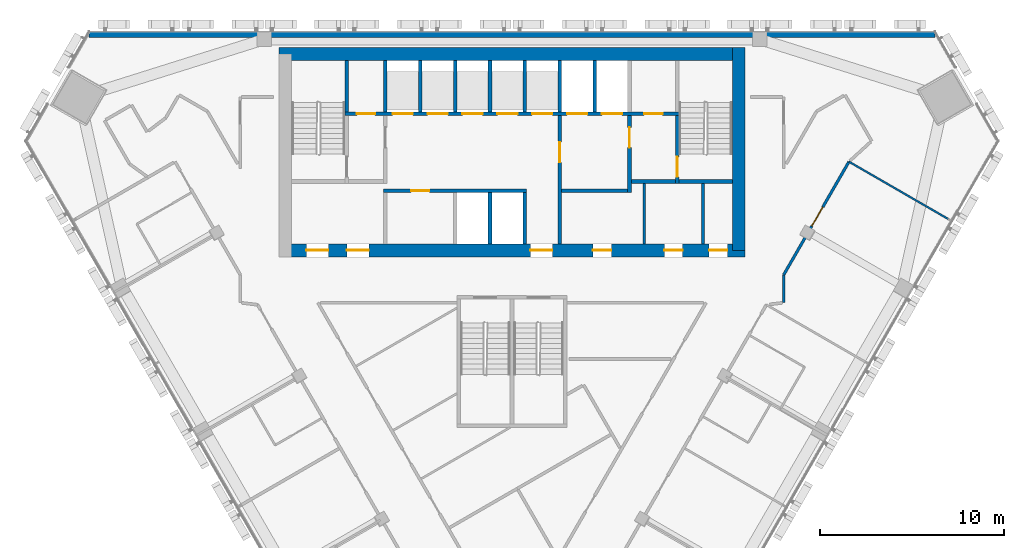
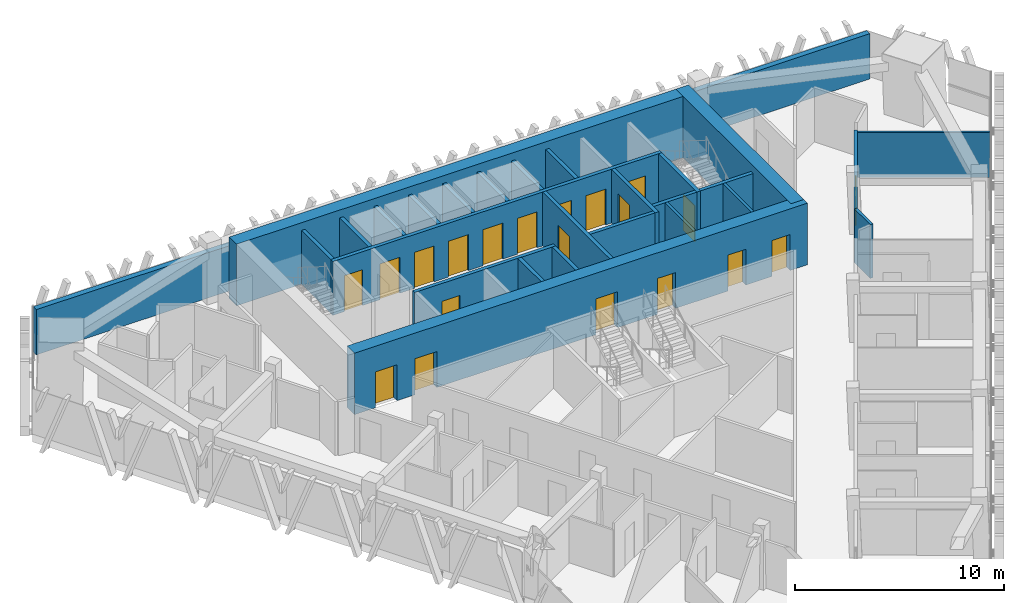
# One storey, part 11 of 15: 27 walls, 20 doors, 20 openings.
"""IFC4 building model written with IfcOpenShell, lengths in metres."""

import ifcopenshell
import ifcopenshell.guid

model = None  # the IFC model being written
_history = None  # IfcOwnerHistory: only IFC2X3 demands one
_inside = {}  # id of a spatial element -> (the spatial element, [elements in it])
_under = {}  # id of a project, library or spatial element -> (it, [spatial elements below it])
_declared = {}  # id of a project -> (the project, [libraries it declares])
_typed = {}  # id of a type object -> (the type object, [elements of that type])
_made_of = {}  # id of a material, layer set ... -> (it, [elements and type objects made of it])


def new_model(schema):
    """Start an empty IFC model of exactly this schema.

    Asked for "IFC4X3", IfcOpenShell would pick the latest addendum, in which some entities
    have other attributes; the version numbers below select the first issue.
    IFC2X3 requires an IfcOwnerHistory on every rooted entity: one is made here for all.
    """
    global model, _history
    if schema == "IFC4X3":
        model = ifcopenshell.file(schema_version=(4, 3, 0, 0))
    else:
        model = ifcopenshell.file(schema=schema)
    _inside.clear()
    _under.clear()
    _declared.clear()
    _typed.clear()
    _made_of.clear()
    _history = None
    if model.schema == "IFC2X3":
        org = make("IfcOrganization", Name="unknown")
        user = make(
            "IfcPersonAndOrganization",
            ThePerson=make("IfcPerson", FamilyName="unknown"),
            TheOrganization=org,
        )
        app = make(
            "IfcApplication",
            ApplicationDeveloper=org,
            Version="unknown",
            ApplicationFullName="unknown",
            ApplicationIdentifier="unknown",
        )
        _history = make(
            "IfcOwnerHistory",
            OwningUser=user,
            OwningApplication=app,
            ChangeAction="ADDED",
            CreationDate=0,
        )
    return model


def make(cls, **values):
    """One entity of the class cls with the attributes given. An attribute that is None is left unset."""
    return model.create_entity(
        cls, **{name: value for name, value in values.items() if value is not None}
    )


def rooted(cls, **values):
    """An entity with a GlobalId (a new one), such as an element, a storey or a relation."""
    return make(cls, GlobalId=ifcopenshell.guid.new(), OwnerHistory=_history, **values)


def si_unit(unit_type, name, prefix=None):
    """IfcSIUnit, for example si_unit("LENGTHUNIT", "METRE", prefix="MILLI")."""
    return make("IfcSIUnit", UnitType=unit_type, Prefix=prefix, Name=name)


def assignment(units):
    """IfcUnitAssignment: the units of a project."""
    return None if units is None else make("IfcUnitAssignment", Units=units)


def point(xyz):
    """IfcCartesianPoint."""
    return None if xyz is None else make("IfcCartesianPoint", Coordinates=xyz)


def direction(xyz):
    """IfcDirection."""
    return None if xyz is None else make("IfcDirection", DirectionRatios=xyz)


def frame(location, z_axis=None, x_axis=None):
    """IfcAxis2Placement3D, a coordinate frame: its origin and axes. An axis left out is left unset."""
    return make(
        "IfcAxis2Placement3D",
        Location=point(location),
        Axis=direction(z_axis),
        RefDirection=direction(x_axis),
    )


def frame_2d(location, x_axis=None):
    """IfcAxis2Placement2D, a coordinate frame in the plane: its origin and x axis."""
    return make(
        "IfcAxis2Placement2D", Location=point(location), RefDirection=direction(x_axis)
    )


def origin():
    """The frame at (0, 0, 0) with its axes left unset."""
    return frame((0.0, 0.0, 0.0))


def place(relative_to, where):
    """IfcLocalPlacement: puts the frame where relative to a parent placement (None: the world)."""
    return make(
        "IfcLocalPlacement", PlacementRelTo=relative_to, RelativePlacement=where
    )


def context(
    kind, dimensions, precision=None, world=None, true_north=None, identifier=None
):
    """IfcGeometricRepresentationContext, for example the 3D "Model" context."""
    return make(
        "IfcGeometricRepresentationContext",
        ContextIdentifier=identifier,
        ContextType=kind,
        CoordinateSpaceDimension=dimensions,
        Precision=precision,
        WorldCoordinateSystem=world,
        TrueNorth=true_north,
    )


def subcontext(parent, identifier, kind, view, scale=None):
    """IfcGeometricRepresentationSubContext, for example "Body" below "Model"."""
    return make(
        "IfcGeometricRepresentationSubContext",
        ContextIdentifier=identifier,
        ContextType=kind,
        ParentContext=parent,
        TargetScale=scale,
        TargetView=view,
    )


def project(units=None, contexts=None):
    """IfcProject with its units and contexts."""
    return rooted(
        "IfcProject",
        Name="project",
        RepresentationContexts=contexts,
        UnitsInContext=assignment(units),
    )


def spatial(cls, under=None, at=None, **own):
    """A site, building, storey or space (cls), placed at a placement, below another one or the project."""
    s = rooted(cls, ObjectPlacement=at, **own)
    if under is not None:
        _under.setdefault(under.id(), (under, []))[1].append(s)
    return s


def profile(cls, at=None, kind="AREA", **sizes):
    """A parametric profile (cls). Its sizes go by their IFC names, for example OverallWidth=200.0."""
    return make(cls, ProfileType=kind, Position=at, **sizes)


def rectangle(**sizes):
    """IfcRectangleProfileDef."""
    return profile("IfcRectangleProfileDef", **sizes)


def extrude(swept, where, along, depth):
    """IfcExtrudedAreaSolid: the profile swept, set in the frame where, extruded along a direction by depth."""
    return make(
        "IfcExtrudedAreaSolid",
        SweptArea=swept,
        Position=where,
        ExtrudedDirection=direction(along),
        Depth=depth,
    )


def shape(context_of_items, identifier, shape_type, items):
    """IfcShapeRepresentation: the items that make up one representation, for example the "Body"."""
    return make(
        "IfcShapeRepresentation",
        ContextOfItems=context_of_items,
        RepresentationIdentifier=identifier,
        RepresentationType=shape_type,
        Items=items,
    )


def material(Name=None, Category=None):
    """IfcMaterial."""
    return make("IfcMaterial", Name=Name, Category=Category)


def layer(
    of_material, thickness, ventilated=None, Name=None, Category=None, Priority=None
):
    """IfcMaterialLayer: one layer of a wall or slab, of a material (None: an air gap)."""
    return make(
        "IfcMaterialLayer",
        Material=of_material,
        LayerThickness=thickness,
        IsVentilated=ventilated,
        Name=Name,
        Category=Category,
        Priority=Priority,
    )


def layer_set(layers, Name=None):
    """IfcMaterialLayerSet."""
    return make("IfcMaterialLayerSet", MaterialLayers=layers, LayerSetName=Name)


def made_of(thing, what):
    """Note that an element or type object is made of a material, layer set ...; save() writes the relation."""
    if what is not None:
        _made_of.setdefault(what.id(), (what, []))[1].append(thing)
    return thing


def type_object(cls, material=None, **own):
    """A type object (cls), such as IfcWallType, which elements share."""
    return made_of(rooted(cls, **own), material)


def element(
    cls,
    number,
    at=None,
    inside=None,
    cuts=None,
    type_object=None,
    material=None,
    context=None,
    identifier="Body",
    shape_type=None,
    held_by="IfcProductDefinitionShape",
    body=None,
    shapes=None,
    **own,
):
    """One element of the class cls, such as IfcWall. Its Tag is "e" and its number.

    at: its placement. inside: the storey or other place that contains it. cuts: it is an
    opening in that element (IfcRelVoidsElement). A single representation is given by context,
    identifier, shape_type and body (its items); several are given by shapes. held_by: the class
    of the entity that holds the representations. save() writes the other relations.
    """
    e = rooted(cls, Tag="e%d" % number, ObjectPlacement=at, **own)
    if body is not None:
        shapes = [shape(context, identifier, shape_type, body)]
    if shapes is not None:
        e.Representation = make(held_by, Representations=shapes)
    if inside is not None:
        _inside.setdefault(inside.id(), (inside, []))[1].append(e)
    if cuts is not None:
        rooted(
            "IfcRelVoidsElement", RelatingBuildingElement=cuts, RelatedOpeningElement=e
        )
    if type_object is not None:
        _typed.setdefault(type_object.id(), (type_object, []))[1].append(e)
    return made_of(e, material)


def fill(opening, filler):
    """IfcRelFillsElement: the door or window that sits in an opening."""
    return rooted(
        "IfcRelFillsElement",
        RelatingOpeningElement=opening,
        RelatedBuildingElement=filler,
    )


def aggregate(whole, parts):
    """IfcRelAggregates: a whole, such as a stair, and the parts it consists of."""
    return rooted("IfcRelAggregates", RelatingObject=whole, RelatedObjects=parts)


def save(model, path):
    """Write the relations noted so far, then the file.

    IfcRelAggregates (storeys below a building ...), IfcRelContainedInSpatialStructure (elements
    in a storey), IfcRelDefinesByType, IfcRelAssociatesMaterial and IfcRelDeclares: one each for
    every whole, place, type object, material and project.
    """
    for whole, parts in _under.values():
        aggregate(whole, parts)
    for where, things in _inside.values():
        rooted(
            "IfcRelContainedInSpatialStructure",
            RelatedElements=things,
            RelatingStructure=where,
        )
    for kind, things in _typed.values():
        rooted("IfcRelDefinesByType", RelatedObjects=things, RelatingType=kind)
    for what, things in _made_of.values():
        rooted("IfcRelAssociatesMaterial", RelatedObjects=things, RelatingMaterial=what)
    for by, libraries in _declared.values():
        rooted("IfcRelDeclares", RelatingContext=by, RelatedDefinitions=libraries)
    model.write(path)


model = new_model("IFC4")

# Units and contexts
model_context = context("Model", 3, precision=1e-05, world=origin(), true_north=direction((0.0, 1.0)))
body_context = subcontext(model_context, "Body", "Model", "MODEL_VIEW")
ifc_project = project(units=[si_unit("LENGTHUNIT", "METRE"), si_unit("AREAUNIT", "SQUARE_METRE"), si_unit("VOLUMEUNIT", "CUBIC_METRE"), si_unit("PLANEANGLEUNIT", "RADIAN"), si_unit("MASSUNIT", "GRAM", prefix="KILO")], contexts=[model_context])

# Site, building, storey
site_placement = place(None, origin())
site = spatial("IfcSite", under=ifc_project, at=site_placement, CompositionType="ELEMENT")
building_placement = place(site_placement, origin())
building = spatial("IfcBuilding", under=site, at=building_placement, Name="Altiplano Prism Tower", CompositionType="ELEMENT")
storey_placement = place(building_placement, frame((0.0, 0.0, 171.0)))
storey = spatial("IfcBuildingStorey", under=building, at=storey_placement, Name="L44", CompositionType="ELEMENT", Elevation=171.0)

# Wall, openings, doors
ifc_material_1 = material(Name="Concrete C60/75", Category="concrete")
ifc_layer_1 = layer(ifc_material_1, 0.699951171875)
ifc_layer_set_1 = layer_set([ifc_layer_1], Name="Concrete C60/75")
wall_type_1 = type_object("IfcWallType", Name="Core wall 700", PredefinedType="SHEAR", material=ifc_layer_set_1)
wall_1_placement = place(storey_placement, frame((72.64990234375, 93.050048828125, 0.0), z_axis=(0.0, 0.0, 1.0), x_axis=(1.0, 0.0, 0.0)))
wall_1 = element("IfcWall", 1, at=wall_1_placement, inside=storey, type_object=wall_type_1, Name="Core wall S L44", PredefinedType="SHEAR", context=body_context, shape_type="SweptSolid", body=[
    extrude(rectangle(XDim=25.050048828125, YDim=0.699951171875, at=frame_2d((12.52490234375, 0.0))), origin(), (0.0, 0.0, 1.0), 3.60009765625),
])
opening_1_placement = place(wall_1_placement, frame((1.14990234375, 0.0, 0.0)))
opening_1 = element("IfcOpeningElement", 2, at=opening_1_placement, cuts=wall_1, Name="Opening D3187", PredefinedType="OPENING", context=body_context, shape_type="SweptSolid", body=[
    extrude(rectangle(XDim=1.199951171875, YDim=2.10009765625, at=frame_2d((0.60009765625, 1.050048828125))), frame((0.0, 0.3603515625, 0.0), z_axis=(0.0, -1.0, 0.0), x_axis=(1.0, 0.0, 0.0)), (0.0, 0.0, 1.0), 0.720947265625),
])
opening_2_placement = place(wall_1_placement, frame((3.35009765625, 0.0, 0.0)))
opening_2 = element("IfcOpeningElement", 3, at=opening_2_placement, cuts=wall_1, Name="Opening D3188", PredefinedType="OPENING", context=body_context, shape_type="SweptSolid", body=[
    extrude(rectangle(XDim=1.199951171875, YDim=2.10009765625, at=frame_2d((0.60009765625, 1.050048828125))), frame((0.0, 0.3603515625, 0.0), z_axis=(0.0, -1.0, 0.0), x_axis=(1.0, 0.0, 0.0)), (0.0, 0.0, 1.0), 0.720947265625),
])
opening_3_placement = place(wall_1_placement, frame((13.35009765625, 0.0, 0.0)))
opening_3 = element("IfcOpeningElement", 4, at=opening_3_placement, cuts=wall_1, Name="Opening D3189", PredefinedType="OPENING", context=body_context, shape_type="SweptSolid", body=[
    extrude(rectangle(XDim=1.199951171875, YDim=2.10009765625, at=frame_2d((0.60009765625, 1.050048828125))), frame((0.0, 0.3603515625, 0.0), z_axis=(0.0, -1.0, 0.0), x_axis=(1.0, 0.0, 0.0)), (0.0, 0.0, 1.0), 0.720947265625),
])
opening_4_placement = place(wall_1_placement, frame((16.762451171875, 0.0, 0.0)))
opening_4 = element("IfcOpeningElement", 5, at=opening_4_placement, cuts=wall_1, Name="Opening D3192", PredefinedType="OPENING", context=body_context, shape_type="SweptSolid", body=[
    extrude(rectangle(XDim=1.0, YDim=2.10009765625, at=frame_2d((0.5, 1.050048828125))), frame((0.0, 0.3603515625, 0.0), z_axis=(0.0, -1.0, 0.0), x_axis=(1.0, 0.0, 0.0)), (0.0, 0.0, 1.0), 0.720947265625),
])
opening_5_placement = place(wall_1_placement, frame((20.64990234375, 0.0, 0.0)))
opening_5 = element("IfcOpeningElement", 6, at=opening_5_placement, cuts=wall_1, Name="Opening D3193", PredefinedType="OPENING", context=body_context, shape_type="SweptSolid", body=[
    extrude(rectangle(XDim=1.0, YDim=2.10009765625, at=frame_2d((0.5, 1.050048828125))), frame((0.0, 0.3603515625, 0.0), z_axis=(0.0, -1.0, 0.0), x_axis=(1.0, 0.0, 0.0)), (0.0, 0.0, 1.0), 0.720947265625),
])
opening_6_placement = place(wall_1_placement, frame((23.08740234375, 0.0, 0.0)))
opening_6 = element("IfcOpeningElement", 7, at=opening_6_placement, cuts=wall_1, Name="Opening D3194", PredefinedType="OPENING", context=body_context, shape_type="SweptSolid", body=[
    extrude(rectangle(XDim=1.0, YDim=2.10009765625, at=frame_2d((0.5, 1.050048828125))), frame((0.0, 0.3603515625, 0.0), z_axis=(0.0, -1.0, 0.0), x_axis=(1.0, 0.0, 0.0)), (0.0, 0.0, 1.0), 0.720947265625),
])
ifc_material_2 = material(Name="Fire-rated steel door", Category="steel")
door_type_1 = type_object("IfcDoorType", Name="Core room door 1000 x 2100", OperationType="NOTDEFINED", PredefinedType="NOTDEFINED", material=ifc_material_2)
door_1_placement = place(opening_4_placement, origin())
door_1 = element("IfcDoor", 8, at=door_1_placement, inside=storey, type_object=door_type_1, Name="Core room door D3192", OperationType="SINGLE_SWING_RIGHT", OverallHeight=2.10009765625, OverallWidth=1.0, PredefinedType="NOTDEFINED", context=body_context, shape_type="SweptSolid", body=[
    extrude(rectangle(XDim=1.0, YDim=2.10009765625, at=frame_2d((0.5, 1.050048828125))), frame((0.0, 0.02490234375, 0.0), z_axis=(0.0, -1.0, 0.0), x_axis=(1.0, 0.0, 0.0)), (0.0, 0.0, 1.0), 0.050048828125),
])
fill(opening_4, door_1)
door_2_placement = place(opening_5_placement, origin())
door_2 = element("IfcDoor", 9, at=door_2_placement, inside=storey, type_object=door_type_1, Name="Core room door D3193", OperationType="SINGLE_SWING_LEFT", OverallHeight=2.10009765625, OverallWidth=1.0, PredefinedType="NOTDEFINED", context=body_context, shape_type="SweptSolid", body=[
    extrude(rectangle(XDim=1.0, YDim=2.10009765625, at=frame_2d((0.5, 1.050048828125))), frame((0.0, 0.02490234375, 0.0), z_axis=(0.0, -1.0, 0.0), x_axis=(1.0, 0.0, 0.0)), (0.0, 0.0, 1.0), 0.050048828125),
])
fill(opening_5, door_2)
door_3_placement = place(opening_6_placement, origin())
door_3 = element("IfcDoor", 10, at=door_3_placement, inside=storey, type_object=door_type_1, Name="Core room door D3194", OperationType="SINGLE_SWING_RIGHT", OverallHeight=2.10009765625, OverallWidth=1.0, PredefinedType="NOTDEFINED", context=body_context, shape_type="SweptSolid", body=[
    extrude(rectangle(XDim=1.0, YDim=2.10009765625, at=frame_2d((0.5, 1.050048828125))), frame((0.0, 0.02490234375, 0.0), z_axis=(0.0, -1.0, 0.0), x_axis=(1.0, 0.0, 0.0)), (0.0, 0.0, 1.0), 0.050048828125),
])
fill(opening_6, door_3)
door_type_2 = type_object("IfcDoorType", Name="Lobby fire door 1200 x 2100", OperationType="NOTDEFINED", PredefinedType="NOTDEFINED", material=ifc_material_2)
door_4_placement = place(opening_1_placement, origin())
door_4 = element("IfcDoor", 11, at=door_4_placement, inside=storey, type_object=door_type_2, Name="Lobby fire door D3187", OperationType="SINGLE_SWING_RIGHT", OverallHeight=2.10009765625, OverallWidth=1.199951171875, PredefinedType="NOTDEFINED", context=body_context, shape_type="SweptSolid", body=[
    extrude(rectangle(XDim=1.199951171875, YDim=2.10009765625, at=frame_2d((0.60009765625, 1.050048828125))), frame((0.0, 0.02490234375, 0.0), z_axis=(0.0, -1.0, 0.0), x_axis=(1.0, 0.0, 0.0)), (0.0, 0.0, 1.0), 0.050048828125),
])
fill(opening_1, door_4)
door_5_placement = place(opening_2_placement, origin())
door_5 = element("IfcDoor", 12, at=door_5_placement, inside=storey, type_object=door_type_2, Name="Lobby fire door D3188", OperationType="SINGLE_SWING_LEFT", OverallHeight=2.10009765625, OverallWidth=1.199951171875, PredefinedType="NOTDEFINED", context=body_context, shape_type="SweptSolid", body=[
    extrude(rectangle(XDim=1.199951171875, YDim=2.10009765625, at=frame_2d((0.60009765625, 1.050048828125))), frame((0.0, 0.02490234375, 0.0), z_axis=(0.0, -1.0, 0.0), x_axis=(1.0, 0.0, 0.0)), (0.0, 0.0, 1.0), 0.050048828125),
])
fill(opening_2, door_5)
door_6_placement = place(opening_3_placement, origin())
door_6 = element("IfcDoor", 13, at=door_6_placement, inside=storey, type_object=door_type_2, Name="Lobby fire door D3189", OperationType="SINGLE_SWING_RIGHT", OverallHeight=2.10009765625, OverallWidth=1.199951171875, PredefinedType="NOTDEFINED", context=body_context, shape_type="SweptSolid", body=[
    extrude(rectangle(XDim=1.199951171875, YDim=2.10009765625, at=frame_2d((0.60009765625, 1.050048828125))), frame((0.0, 0.02490234375, 0.0), z_axis=(0.0, -1.0, 0.0), x_axis=(1.0, 0.0, 0.0)), (0.0, 0.0, 1.0), 0.050048828125),
])
fill(opening_3, door_6)

# Walls
wall_2_placement = place(storey_placement, frame((97.35009765625, 93.050048828125, 0.0), z_axis=(0.0, 0.0, 1.0), x_axis=(0.0, 1.0, 0.0)))
element("IfcWall", 14, at=wall_2_placement, inside=storey, type_object=wall_type_1, Name="Core wall E L44", PredefinedType="SHEAR", context=body_context, shape_type="SweptSolid", body=[
    extrude(rectangle(XDim=11.050048828125, YDim=0.699951171875, at=frame_2d((5.52490234375, 0.0))), origin(), (0.0, 0.0, 1.0), 3.60009765625),
])
wall_3_placement = place(storey_placement, frame((97.35009765625, 103.75, 0.0), z_axis=(0.0, 0.0, 1.0), x_axis=(-1.0, 0.0, 0.0)))
element("IfcWall", 15, at=wall_3_placement, inside=storey, type_object=wall_type_1, Name="Core wall N L44", PredefinedType="SHEAR", context=body_context, shape_type="SweptSolid", body=[
    extrude(rectangle(XDim=25.050048828125, YDim=0.699951171875, at=frame_2d((12.52490234375, 0.0))), origin(), (0.0, 0.0, 1.0), 3.60009765625),
])
ifc_material_3 = material(Name="Plasterboard on steel stud", Category="steel")
ifc_layer_2 = layer(ifc_material_3, 0.10009765625)
ifc_layer_set_2 = layer_set([ifc_layer_2], Name="Plasterboard on steel stud")
wall_type_2 = type_object("IfcWallType", Name="Partition 100 wet", PredefinedType="PARTITIONING", material=ifc_layer_set_2)
wall_4_placement = place(storey_placement, frame((108.917724609375, 94.670166015625, 0.0), z_axis=(0.0, 0.0, 1.0), x_axis=(-0.866018406147, 0.500012120068, 0.0)))
element("IfcWall", 16, at=wall_4_placement, inside=storey, type_object=wall_type_2, Name="Partition P03 L44 072", PredefinedType="PARTITIONING", context=body_context, shape_type="SweptSolid", body=[
    extrude(rectangle(XDim=6.420166015625, YDim=0.10009765625, at=frame_2d((3.2099609375, 0.0))), origin(), (0.0, 0.0, 1.0), 2.64990234375),
])
ifc_layer_3 = layer(ifc_material_3, 0.14990234375)
ifc_layer_set_3 = layer_set([ifc_layer_3], Name="Plasterboard on steel stud")
wall_type_3 = type_object("IfcWallType", Name="Partition 150 corridor", PredefinedType="PARTITIONING", material=ifc_layer_set_3)
wall_5_placement = place(storey_placement, frame((99.800048828125, 90.199951171875, 0.0), z_axis=(0.0, 0.0, 1.0), x_axis=(0.0, 1.0, 0.0)))
element("IfcWall", 17, at=wall_5_placement, inside=storey, type_object=wall_type_3, Name="Partition P06 L44 012", PredefinedType="PARTITIONING", context=body_context, shape_type="SweptSolid", body=[
    extrude(rectangle(XDim=1.51806640625, YDim=0.14990234375, at=frame_2d((0.759033203125, 0.0))), origin(), (0.0, 0.0, 1.0), 3.14990234375),
])

# Wall, opening, door
wall_6_placement = place(storey_placement, frame((99.800048828125, 91.718017578125, 0.0), z_axis=(0.0, 0.0, 1.0), x_axis=(0.499976887781, 0.866038747219, 0.0)))
wall_6 = element("IfcWall", 18, at=wall_6_placement, inside=storey, type_object=wall_type_3, Name="Partition P06 L44 013", PredefinedType="PARTITIONING", context=body_context, shape_type="SweptSolid", body=[
    extrude(rectangle(XDim=7.115478515625, YDim=0.14990234375, at=frame_2d((3.5576171875, 0.0))), origin(), (0.0, 0.0, 1.0), 2.75),
])
opening_7_placement = place(wall_6_placement, frame((3.06103515625, 0.0, 0.0)))
opening_7 = element("IfcOpeningElement", 19, at=opening_7_placement, cuts=wall_6, Name="Opening D1570", PredefinedType="OPENING", context=body_context, shape_type="SweptSolid", body=[
    extrude(rectangle(XDim=1.199951171875, YDim=2.10009765625, at=frame_2d((0.60009765625, 1.050048828125))), frame((0.0, 0.08544921875, 0.0), z_axis=(0.0, -1.0, 0.0), x_axis=(1.0, 0.0, 0.0)), (0.0, 0.0, 1.0), 0.1708984375),
])
ifc_material_4 = material(Name="Timber", Category="wood")
door_type_3 = type_object("IfcDoorType", Name="Shared room door 1200 x 2100", OperationType="NOTDEFINED", PredefinedType="NOTDEFINED", material=ifc_material_4)
door_7_placement = place(opening_7_placement, origin())
door_7 = element("IfcDoor", 20, at=door_7_placement, inside=storey, type_object=door_type_3, Name="Door D1570", OperationType="SINGLE_SWING_LEFT", OverallHeight=2.10009765625, OverallWidth=1.199951171875, PredefinedType="NOTDEFINED", context=body_context, shape_type="SweptSolid", body=[
    extrude(rectangle(XDim=1.199951171875, YDim=2.10009765625, at=frame_2d((0.60009765625, 1.050048828125))), frame((0.0, 0.02490234375, 0.0), z_axis=(0.0, -1.0, 0.0), x_axis=(1.0, 0.0, 0.0)), (0.0, 0.0, 1.0), 0.050048828125),
])
fill(opening_7, door_7)

# Walls
ifc_material_5 = material(Name="Fire-rated gypsum board partition")
ifc_layer_4 = layer(ifc_material_5, 0.14990234375)
ifc_layer_set_4 = layer_set([ifc_layer_4], Name="Fire-rated gypsum board partition")
wall_type_4 = type_object("IfcWallType", Name="Room partition 150", PredefinedType="PARTITIONING", material=ifc_layer_set_4)
for number, where, z_axis, x_axis, name in (
    (21, (92.199951171875, 93.39990234375, 0.0), (0.0, 0.0, 1.0), (0.0, 1.0, 0.0), "Room partition L44"),
    (22, (95.39990234375, 93.39990234375, 0.0), (0.0, 0.0, 1.0), (0.0, 1.0, 0.0), "Room partition L44"),
):
    element("IfcWall", number, at=place(storey_placement, frame(where, z_axis=z_axis, x_axis=x_axis)), inside=storey, type_object=wall_type_4, Name=name, PredefinedType="PARTITIONING", context=body_context, shape_type="SweptSolid", body=[
        extrude(rectangle(XDim=3.300048828125, YDim=0.14990234375, at=frame_2d((1.64990234375, 0.0))), origin(), (0.0, 0.0, 1.0), 3.14990234375),
    ])
ifc_layer_5 = layer(ifc_material_1, 0.199951171875)
ifc_layer_set_5 = layer_set([ifc_layer_5], Name="Concrete C60/75")
wall_type_5 = type_object("IfcWallType", Name="Shaft wall 200", PredefinedType="SOLIDWALL", material=ifc_layer_set_5)
for number, where, z_axis, x_axis, name in (
    (23, (83.800048828125, 93.39990234375, 0.0), (0.0, 0.0, 1.0), (0.0, 1.0, 0.0), "Shaft wall L44"),
    (24, (85.699951171875, 93.39990234375, 0.0), (0.0, 0.0, 1.0), (0.0, 1.0, 0.0), "Shaft wall L44"),
):
    element("IfcWall", number, at=place(storey_placement, frame(where, z_axis=z_axis, x_axis=x_axis)), inside=storey, type_object=wall_type_5, Name=name, PredefinedType="SOLIDWALL", context=body_context, shape_type="SweptSolid", body=[
        extrude(rectangle(XDim=2.800048828125, YDim=0.199951171875, at=frame_2d((1.39990234375, 0.0))), origin(), (0.0, 0.0, 1.0), 3.14990234375),
    ])

# Wall, opening, door
wall_7_placement = place(storey_placement, frame((78.0, 96.300048828125, 0.0), z_axis=(0.0, 0.0, 1.0), x_axis=(1.0, 0.0, 0.0)))
wall_7 = element("IfcWall", 25, at=wall_7_placement, inside=storey, type_object=wall_type_5, Name="Shaft wall L44", PredefinedType="SOLIDWALL", context=body_context, shape_type="SweptSolid", body=[
    extrude(rectangle(XDim=7.800048828125, YDim=0.199951171875, at=frame_2d((3.89990234375, 0.0))), origin(), (0.0, 0.0, 1.0), 3.14990234375),
])
opening_8_placement = place(wall_7_placement, frame((1.5, 0.0, 0.0)))
opening_8 = element("IfcOpeningElement", 26, at=opening_8_placement, cuts=wall_7, Name="Opening D3195", PredefinedType="OPENING", context=body_context, shape_type="SweptSolid", body=[
    extrude(rectangle(XDim=1.0, YDim=2.10009765625, at=frame_2d((0.5, 1.050048828125))), frame((0.0, 0.1103515625, 0.0), z_axis=(0.0, -1.0, 0.0), x_axis=(1.0, 0.0, 0.0)), (0.0, 0.0, 1.0), 0.220947265625),
])
door_8_placement = place(opening_8_placement, origin())
door_8 = element("IfcDoor", 27, at=door_8_placement, inside=storey, type_object=door_type_1, Name="Core room door D3195", OperationType="SINGLE_SWING_RIGHT", OverallHeight=2.10009765625, OverallWidth=1.0, PredefinedType="NOTDEFINED", context=body_context, shape_type="SweptSolid", body=[
    extrude(rectangle(XDim=1.0, YDim=2.10009765625, at=frame_2d((0.5, 1.050048828125))), frame((0.0, 0.02490234375, 0.0), z_axis=(0.0, -1.0, 0.0), x_axis=(1.0, 0.0, 0.0)), (0.0, 0.0, 1.0), 0.050048828125),
])
fill(opening_8, door_8)

# Walls
for number, where, z_axis, x_axis, name in (
    (28, (78.10009765625, 100.60009765625, 0.0), (0.0, 0.0, 1.0), (0.0, 1.0, 0.0), "Shaft wall L44"),
    (29, (80.0, 100.60009765625, 0.0), (0.0, 0.0, 1.0), (0.0, 1.0, 0.0), "Shaft wall L44"),
    (30, (81.89990234375, 100.60009765625, 0.0), (0.0, 0.0, 1.0), (0.0, 1.0, 0.0), "Shaft wall L44"),
    (31, (83.800048828125, 100.60009765625, 0.0), (0.0, 0.0, 1.0), (0.0, 1.0, 0.0), "Shaft wall L44"),
    (32, (85.699951171875, 100.60009765625, 0.0), (0.0, 0.0, 1.0), (0.0, 1.0, 0.0), "Shaft wall L44"),
    (33, (87.60009765625, 100.60009765625, 0.0), (0.0, 0.0, 1.0), (0.0, 1.0, 0.0), "Shaft wall L44"),
    (34, (89.5, 100.60009765625, 0.0), (0.0, 0.0, 1.0), (0.0, 1.0, 0.0), "Shaft wall L44"),
):
    element("IfcWall", number, at=place(storey_placement, frame(where, z_axis=z_axis, x_axis=x_axis)), inside=storey, type_object=wall_type_5, Name=name, PredefinedType="SOLIDWALL", context=body_context, shape_type="SweptSolid", body=[
        extrude(rectangle(XDim=2.7998046875, YDim=0.199951171875, at=frame_2d((1.39990234375, 0.0))), origin(), (0.0, 0.0, 1.0), 3.14990234375),
    ])

# Wall, opening, door
ifc_layer_6 = layer(ifc_material_1, 0.199951171875)
ifc_layer_set_6 = layer_set([ifc_layer_6], Name="Concrete C60/75")
wall_type_6 = type_object("IfcWallType", Name="Stair wall 200", PredefinedType="SOLIDWALL", material=ifc_layer_set_6)
wall_8_placement = place(storey_placement, frame((94.0, 96.699951171875, 0.0), z_axis=(0.0, 0.0, 1.0), x_axis=(0.0, 1.0, 0.0)))
wall_8 = element("IfcWall", 35, at=wall_8_placement, inside=storey, type_object=wall_type_6, Name="Stair wall L44", PredefinedType="SOLIDWALL", context=body_context, shape_type="SweptSolid", body=[
    extrude(rectangle(XDim=3.699951171875, YDim=0.199951171875, at=frame_2d((1.85009765625, 0.0))), origin(), (0.0, 0.0, 1.0), 3.14990234375),
])
opening_9_placement = place(wall_8_placement, frame((0.35009765625, 0.0, 0.0)))
opening_9 = element("IfcOpeningElement", 36, at=opening_9_placement, cuts=wall_8, Name="Opening D3183", PredefinedType="OPENING", context=body_context, shape_type="SweptSolid", body=[
    extrude(rectangle(XDim=1.10009765625, YDim=2.10009765625, at=frame_2d((0.550048828125, 1.050048828125))), frame((0.0, 0.1103515625, 0.0), z_axis=(0.0, -1.0, 0.0), x_axis=(1.0, 0.0, 0.0)), (0.0, 0.0, 1.0), 0.220947265625),
])
door_type_4 = type_object("IfcDoorType", Name="Stair fire door 1100 x 2100", OperationType="NOTDEFINED", PredefinedType="NOTDEFINED", material=ifc_material_2)
door_9_placement = place(opening_9_placement, origin())
door_9 = element("IfcDoor", 37, at=door_9_placement, inside=storey, type_object=door_type_4, Name="Stair fire door D3183", OperationType="SINGLE_SWING_LEFT", OverallHeight=2.10009765625, OverallWidth=1.10009765625, PredefinedType="NOTDEFINED", context=body_context, shape_type="SweptSolid", body=[
    extrude(rectangle(XDim=1.10009765625, YDim=2.10009765625, at=frame_2d((0.550048828125, 1.050048828125))), frame((0.0, 0.02490234375, 0.0), z_axis=(0.0, -1.0, 0.0), x_axis=(1.0, 0.0, 0.0)), (0.0, 0.0, 1.0), 0.050048828125),
])
fill(opening_9, door_9)

# Wall
wall_9_placement = place(storey_placement, frame((94.10009765625, 96.800048828125, 0.0), z_axis=(0.0, 0.0, 1.0), x_axis=(1.0, 0.0, 0.0)))
element("IfcWall", 38, at=wall_9_placement, inside=storey, type_object=wall_type_6, Name="Stair wall L44", PredefinedType="SOLIDWALL", context=body_context, shape_type="SweptSolid", body=[
    extrude(rectangle(XDim=2.89990234375, YDim=0.199951171875, at=frame_2d((1.449951171875, 0.0))), origin(), (0.0, 0.0, 1.0), 3.14990234375),
])

# Wall, openings, doors
wall_10_placement = place(storey_placement, frame((75.89990234375, 100.5, 0.0), z_axis=(0.0, 0.0, 1.0), x_axis=(1.0, 0.0, 0.0)))
wall_10 = element("IfcWall", 39, at=wall_10_placement, inside=storey, type_object=wall_type_6, Name="Stair wall L44", PredefinedType="SOLIDWALL", context=body_context, shape_type="SweptSolid", body=[
    extrude(rectangle(XDim=18.2001953125, YDim=0.199951171875, at=frame_2d((9.10009765625, 0.0))), origin(), (0.0, 0.0, 1.0), 3.14990234375),
])
opening_10_placement = place(wall_10_placement, frame((2.60009765625, 0.0, 0.0)))
opening_10 = element("IfcOpeningElement", 40, at=opening_10_placement, cuts=wall_10, Name="Opening LD-ML1-L44", PredefinedType="OPENING", context=body_context, shape_type="SweptSolid", body=[
    extrude(rectangle(XDim=1.10009765625, YDim=2.10009765625, at=frame_2d((0.550048828125, 1.050048828125))), frame((0.0, 0.1103515625, 0.0), z_axis=(0.0, -1.0, 0.0), x_axis=(1.0, 0.0, 0.0)), (0.0, 0.0, 1.0), 0.220947265625),
])
opening_11_placement = place(wall_10_placement, frame((4.5, 0.0, 0.0)))
opening_11 = element("IfcOpeningElement", 41, at=opening_11_placement, cuts=wall_10, Name="Opening LD-ML2-L44", PredefinedType="OPENING", context=body_context, shape_type="SweptSolid", body=[
    extrude(rectangle(XDim=1.10009765625, YDim=2.10009765625, at=frame_2d((0.550048828125, 1.050048828125))), frame((0.0, 0.1103515625, 0.0), z_axis=(0.0, -1.0, 0.0), x_axis=(1.0, 0.0, 0.0)), (0.0, 0.0, 1.0), 0.220947265625),
])
opening_12_placement = place(wall_10_placement, frame((6.39990234375, 0.0, 0.0)))
opening_12 = element("IfcOpeningElement", 42, at=opening_12_placement, cuts=wall_10, Name="Opening LD-ML3-L44", PredefinedType="OPENING", context=body_context, shape_type="SweptSolid", body=[
    extrude(rectangle(XDim=1.10009765625, YDim=2.10009765625, at=frame_2d((0.550048828125, 1.050048828125))), frame((0.0, 0.1103515625, 0.0), z_axis=(0.0, -1.0, 0.0), x_axis=(1.0, 0.0, 0.0)), (0.0, 0.0, 1.0), 0.220947265625),
])
opening_13_placement = place(wall_10_placement, frame((8.300048828125, 0.0, 0.0)))
opening_13 = element("IfcOpeningElement", 43, at=opening_13_placement, cuts=wall_10, Name="Opening LD-ML4-L44", PredefinedType="OPENING", context=body_context, shape_type="SweptSolid", body=[
    extrude(rectangle(XDim=1.10009765625, YDim=2.10009765625, at=frame_2d((0.550048828125, 1.050048828125))), frame((0.0, 0.1103515625, 0.0), z_axis=(0.0, -1.0, 0.0), x_axis=(1.0, 0.0, 0.0)), (0.0, 0.0, 1.0), 0.220947265625),
])
opening_14_placement = place(wall_10_placement, frame((10.199951171875, 0.0, 0.0)))
opening_14 = element("IfcOpeningElement", 44, at=opening_14_placement, cuts=wall_10, Name="Opening LD-ML5-L44", PredefinedType="OPENING", context=body_context, shape_type="SweptSolid", body=[
    extrude(rectangle(XDim=1.10009765625, YDim=2.10009765625, at=frame_2d((0.550048828125, 1.050048828125))), frame((0.0, 0.1103515625, 0.0), z_axis=(0.0, -1.0, 0.0), x_axis=(1.0, 0.0, 0.0)), (0.0, 0.0, 1.0), 0.220947265625),
])
opening_15_placement = place(wall_10_placement, frame((12.10009765625, 0.0, 0.0)))
opening_15 = element("IfcOpeningElement", 45, at=opening_15_placement, cuts=wall_10, Name="Opening LD-FF1-L44", PredefinedType="OPENING", context=body_context, shape_type="SweptSolid", body=[
    extrude(rectangle(XDim=1.10009765625, YDim=2.10009765625, at=frame_2d((0.550048828125, 1.050048828125))), frame((0.0, 0.1103515625, 0.0), z_axis=(0.0, -1.0, 0.0), x_axis=(1.0, 0.0, 0.0)), (0.0, 0.0, 1.0), 0.220947265625),
])
opening_16_placement = place(wall_10_placement, frame((14.0, 0.0, 0.0)))
opening_16 = element("IfcOpeningElement", 46, at=opening_16_placement, cuts=wall_10, Name="Opening LD-FF2-L44", PredefinedType="OPENING", context=body_context, shape_type="SweptSolid", body=[
    extrude(rectangle(XDim=1.10009765625, YDim=2.10009765625, at=frame_2d((0.550048828125, 1.050048828125))), frame((0.0, 0.1103515625, 0.0), z_axis=(0.0, -1.0, 0.0), x_axis=(1.0, 0.0, 0.0)), (0.0, 0.0, 1.0), 0.220947265625),
])
opening_17_placement = place(wall_10_placement, frame((0.64990234375, 0.0, 0.0)))
opening_17 = element("IfcOpeningElement", 47, at=opening_17_placement, cuts=wall_10, Name="Opening D3190", PredefinedType="OPENING", context=body_context, shape_type="SweptSolid", body=[
    extrude(rectangle(XDim=1.0, YDim=2.10009765625, at=frame_2d((0.5, 1.050048828125))), frame((0.0, 0.1103515625, 0.0), z_axis=(0.0, -1.0, 0.0), x_axis=(1.0, 0.0, 0.0)), (0.0, 0.0, 1.0), 0.220947265625),
])
opening_18_placement = place(wall_10_placement, frame((16.300048828125, 0.0, 0.0)))
opening_18 = element("IfcOpeningElement", 48, at=opening_18_placement, cuts=wall_10, Name="Opening D3191", PredefinedType="OPENING", context=body_context, shape_type="SweptSolid", body=[
    extrude(rectangle(XDim=1.0, YDim=2.10009765625, at=frame_2d((0.5, 1.050048828125))), frame((0.0, 0.1103515625, 0.0), z_axis=(0.0, -1.0, 0.0), x_axis=(1.0, 0.0, 0.0)), (0.0, 0.0, 1.0), 0.220947265625),
])
door_10_placement = place(opening_17_placement, origin())
door_10 = element("IfcDoor", 49, at=door_10_placement, inside=storey, type_object=door_type_1, Name="Core room door D3190", OperationType="SINGLE_SWING_LEFT", OverallHeight=2.10009765625, OverallWidth=1.0, PredefinedType="NOTDEFINED", context=body_context, shape_type="SweptSolid", body=[
    extrude(rectangle(XDim=1.0, YDim=2.10009765625, at=frame_2d((0.5, 1.050048828125))), frame((0.0, 0.02490234375, 0.0), z_axis=(0.0, -1.0, 0.0), x_axis=(1.0, 0.0, 0.0)), (0.0, 0.0, 1.0), 0.050048828125),
])
fill(opening_17, door_10)
door_11_placement = place(opening_18_placement, origin())
door_11 = element("IfcDoor", 50, at=door_11_placement, inside=storey, type_object=door_type_1, Name="Core room door D3191", OperationType="SINGLE_SWING_RIGHT", OverallHeight=2.10009765625, OverallWidth=1.0, PredefinedType="NOTDEFINED", context=body_context, shape_type="SweptSolid", body=[
    extrude(rectangle(XDim=1.0, YDim=2.10009765625, at=frame_2d((0.5, 1.050048828125))), frame((0.0, 0.02490234375, 0.0), z_axis=(0.0, -1.0, 0.0), x_axis=(1.0, 0.0, 0.0)), (0.0, 0.0, 1.0), 0.050048828125),
])
fill(opening_18, door_11)
ifc_material_6 = material(Name="Stainless steel landing door", Category="steel")
door_type_5 = type_object("IfcDoorType", Name="Landing door 1100 x 2100", OperationType="NOTDEFINED", PredefinedType="NOTDEFINED", material=ifc_material_6)
door_12_placement = place(opening_10_placement, origin())
door_12 = element("IfcDoor", 51, at=door_12_placement, inside=storey, type_object=door_type_5, Name="Landing doors ML1", OperationType="SLIDING_TO_RIGHT", OverallHeight=2.10009765625, OverallWidth=1.10009765625, PredefinedType="NOTDEFINED", context=body_context, shape_type="SweptSolid", body=[
    extrude(rectangle(XDim=1.10009765625, YDim=2.10009765625, at=frame_2d((0.550048828125, 1.050048828125))), frame((0.0, 0.02490234375, 0.0), z_axis=(0.0, -1.0, 0.0), x_axis=(1.0, 0.0, 0.0)), (0.0, 0.0, 1.0), 0.050048828125),
])
fill(opening_10, door_12)
door_13_placement = place(opening_11_placement, origin())
door_13 = element("IfcDoor", 52, at=door_13_placement, inside=storey, type_object=door_type_5, Name="Landing doors ML2", OperationType="SLIDING_TO_LEFT", OverallHeight=2.10009765625, OverallWidth=1.10009765625, PredefinedType="NOTDEFINED", context=body_context, shape_type="SweptSolid", body=[
    extrude(rectangle(XDim=1.10009765625, YDim=2.10009765625, at=frame_2d((0.550048828125, 1.050048828125))), frame((0.0, 0.02490234375, 0.0), z_axis=(0.0, -1.0, 0.0), x_axis=(1.0, 0.0, 0.0)), (0.0, 0.0, 1.0), 0.050048828125),
])
fill(opening_11, door_13)
door_14_placement = place(opening_12_placement, origin())
door_14 = element("IfcDoor", 53, at=door_14_placement, inside=storey, type_object=door_type_5, Name="Landing doors ML3", OperationType="SLIDING_TO_RIGHT", OverallHeight=2.10009765625, OverallWidth=1.10009765625, PredefinedType="NOTDEFINED", context=body_context, shape_type="SweptSolid", body=[
    extrude(rectangle(XDim=1.10009765625, YDim=2.10009765625, at=frame_2d((0.550048828125, 1.050048828125))), frame((0.0, 0.02490234375, 0.0), z_axis=(0.0, -1.0, 0.0), x_axis=(1.0, 0.0, 0.0)), (0.0, 0.0, 1.0), 0.050048828125),
])
fill(opening_12, door_14)
door_15_placement = place(opening_13_placement, origin())
door_15 = element("IfcDoor", 54, at=door_15_placement, inside=storey, type_object=door_type_5, Name="Landing doors ML4", OperationType="SLIDING_TO_LEFT", OverallHeight=2.10009765625, OverallWidth=1.10009765625, PredefinedType="NOTDEFINED", context=body_context, shape_type="SweptSolid", body=[
    extrude(rectangle(XDim=1.10009765625, YDim=2.10009765625, at=frame_2d((0.550048828125, 1.050048828125))), frame((0.0, 0.02490234375, 0.0), z_axis=(0.0, -1.0, 0.0), x_axis=(1.0, 0.0, 0.0)), (0.0, 0.0, 1.0), 0.050048828125),
])
fill(opening_13, door_15)
door_16_placement = place(opening_14_placement, origin())
door_16 = element("IfcDoor", 55, at=door_16_placement, inside=storey, type_object=door_type_5, Name="Landing doors ML5", OperationType="SLIDING_TO_RIGHT", OverallHeight=2.10009765625, OverallWidth=1.10009765625, PredefinedType="NOTDEFINED", context=body_context, shape_type="SweptSolid", body=[
    extrude(rectangle(XDim=1.10009765625, YDim=2.10009765625, at=frame_2d((0.550048828125, 1.050048828125))), frame((0.0, 0.02490234375, 0.0), z_axis=(0.0, -1.0, 0.0), x_axis=(1.0, 0.0, 0.0)), (0.0, 0.0, 1.0), 0.050048828125),
])
fill(opening_14, door_16)
door_17_placement = place(opening_15_placement, origin())
door_17 = element("IfcDoor", 56, at=door_17_placement, inside=storey, type_object=door_type_5, Name="Landing doors FF1", OperationType="SLIDING_TO_RIGHT", OverallHeight=2.10009765625, OverallWidth=1.10009765625, PredefinedType="NOTDEFINED", context=body_context, shape_type="SweptSolid", body=[
    extrude(rectangle(XDim=1.10009765625, YDim=2.10009765625, at=frame_2d((0.550048828125, 1.050048828125))), frame((0.0, 0.02490234375, 0.0), z_axis=(0.0, -1.0, 0.0), x_axis=(1.0, 0.0, 0.0)), (0.0, 0.0, 1.0), 0.050048828125),
])
fill(opening_15, door_17)
door_18_placement = place(opening_16_placement, origin())
door_18 = element("IfcDoor", 57, at=door_18_placement, inside=storey, type_object=door_type_5, Name="Landing doors FF2", OperationType="SLIDING_TO_LEFT", OverallHeight=2.10009765625, OverallWidth=1.10009765625, PredefinedType="NOTDEFINED", context=body_context, shape_type="SweptSolid", body=[
    extrude(rectangle(XDim=1.10009765625, YDim=2.10009765625, at=frame_2d((0.550048828125, 1.050048828125))), frame((0.0, 0.02490234375, 0.0), z_axis=(0.0, -1.0, 0.0), x_axis=(1.0, 0.0, 0.0)), (0.0, 0.0, 1.0), 0.050048828125),
])
fill(opening_16, door_18)

# Walls
wall_11_placement = place(storey_placement, frame((76.0, 100.60009765625, 0.0), z_axis=(0.0, 0.0, 1.0), x_axis=(0.0, 1.0, 0.0)))
element("IfcWall", 58, at=wall_11_placement, inside=storey, type_object=wall_type_6, Name="Stair wall L44", PredefinedType="SOLIDWALL", context=body_context, shape_type="SweptSolid", body=[
    extrude(rectangle(XDim=2.7998046875, YDim=0.199951171875, at=frame_2d((1.39990234375, 0.0))), origin(), (0.0, 0.0, 1.0), 3.14990234375),
])
ifc_material_7 = material(Name="Concrete C40", Category="concrete")
ifc_layer_7 = layer(ifc_material_7, 0.300048828125)
ifc_layer_set_7 = layer_set([ifc_layer_7], Name="Concrete C40")
wall_type_7 = type_object("IfcWallType", Name="Stone-clad external wall 300", PredefinedType="SOLIDWALL", material=ifc_layer_set_7)
wall_12_placement = place(storey_placement, frame((61.947265625, 104.7900390625, 0.0), z_axis=(0.0, 0.0, 1.0), x_axis=(1.0, 0.0, 0.0)))
element("IfcWall", 59, at=wall_12_placement, inside=storey, type_object=wall_type_7, Name="External wall north face L44", PredefinedType="SOLIDWALL", context=body_context, shape_type="SweptSolid", body=[
    extrude(rectangle(XDim=46.10546875, YDim=0.300048828125, at=frame_2d((23.052734375, 0.0))), origin(), (0.0, 0.0, 1.0), 2.64990234375),
])

# Wall, opening, door
ifc_layer_8 = layer(ifc_material_1, 0.199951171875)
ifc_layer_set_8 = layer_set([ifc_layer_8], Name="Concrete C60/75")
wall_type_8 = type_object("IfcWallType", Name="Vestibule wall 200", PredefinedType="PARTITIONING", material=ifc_layer_set_8)
wall_13_placement = place(storey_placement, frame((87.60009765625, 93.39990234375, 0.0), z_axis=(0.0, 0.0, 1.0), x_axis=(0.0, 1.0, 0.0)))
wall_13 = element("IfcWall", 60, at=wall_13_placement, inside=storey, type_object=wall_type_8, Name="Vestibule wall L44", PredefinedType="PARTITIONING", context=body_context, shape_type="SweptSolid", body=[
    extrude(rectangle(XDim=7.0, YDim=0.199951171875, at=frame_2d((3.5, 0.0))), origin(), (0.0, 0.0, 1.0), 3.14990234375),
])
opening_19_placement = place(wall_13_placement, frame((4.449951171875, 0.0, 0.0)))
opening_19 = element("IfcOpeningElement", 61, at=opening_19_placement, cuts=wall_13, Name="Opening D3185", PredefinedType="OPENING", context=body_context, shape_type="SweptSolid", body=[
    extrude(rectangle(XDim=1.10009765625, YDim=2.10009765625, at=frame_2d((0.550048828125, 1.050048828125))), frame((0.0, 0.1103515625, 0.0), z_axis=(0.0, -1.0, 0.0), x_axis=(1.0, 0.0, 0.0)), (0.0, 0.0, 1.0), 0.220947265625),
])
door_type_6 = type_object("IfcDoorType", Name="Vestibule fire door 1100 x 2100", OperationType="NOTDEFINED", PredefinedType="NOTDEFINED", material=ifc_material_2)
door_19_placement = place(opening_19_placement, origin())
door_19 = element("IfcDoor", 62, at=door_19_placement, inside=storey, type_object=door_type_6, Name="Vestibule fire door D3185", OperationType="SINGLE_SWING_RIGHT", OverallHeight=2.10009765625, OverallWidth=1.10009765625, PredefinedType="NOTDEFINED", context=body_context, shape_type="SweptSolid", body=[
    extrude(rectangle(XDim=1.10009765625, YDim=2.10009765625, at=frame_2d((0.550048828125, 1.050048828125))), frame((0.0, 0.02490234375, 0.0), z_axis=(0.0, -1.0, 0.0), x_axis=(1.0, 0.0, 0.0)), (0.0, 0.0, 1.0), 0.050048828125),
])
fill(opening_19, door_19)

# Wall
wall_14_placement = place(storey_placement, frame((87.699951171875, 96.300048828125, 0.0), z_axis=(0.0, 0.0, 1.0), x_axis=(1.0, 0.0, 0.0)))
element("IfcWall", 63, at=wall_14_placement, inside=storey, type_object=wall_type_8, Name="Vestibule wall L44", PredefinedType="PARTITIONING", context=body_context, shape_type="SweptSolid", body=[
    extrude(rectangle(XDim=3.60009765625, YDim=0.199951171875, at=frame_2d((1.800048828125, 0.0))), origin(), (0.0, 0.0, 1.0), 3.14990234375),
])

# Wall, opening, door
wall_15_placement = place(storey_placement, frame((91.39990234375, 96.199951171875, 0.0), z_axis=(0.0, 0.0, 1.0), x_axis=(0.0, 1.0, 0.0)))
wall_15 = element("IfcWall", 64, at=wall_15_placement, inside=storey, type_object=wall_type_8, Name="Vestibule wall L44", PredefinedType="PARTITIONING", context=body_context, shape_type="SweptSolid", body=[
    extrude(rectangle(XDim=4.199951171875, YDim=0.199951171875, at=frame_2d((2.10009765625, 0.0))), origin(), (0.0, 0.0, 1.0), 3.14990234375),
])
opening_20_placement = place(wall_15_placement, frame((2.449951171875, 0.0, 0.0)))
opening_20 = element("IfcOpeningElement", 65, at=opening_20_placement, cuts=wall_15, Name="Opening D3186", PredefinedType="OPENING", context=body_context, shape_type="SweptSolid", body=[
    extrude(rectangle(XDim=1.10009765625, YDim=2.10009765625, at=frame_2d((0.550048828125, 1.050048828125))), frame((0.0, 0.1103515625, 0.0), z_axis=(0.0, -1.0, 0.0), x_axis=(1.0, 0.0, 0.0)), (0.0, 0.0, 1.0), 0.220947265625),
])
door_20_placement = place(opening_20_placement, origin())
door_20 = element("IfcDoor", 66, at=door_20_placement, inside=storey, type_object=door_type_6, Name="Vestibule fire door D3186", OperationType="SINGLE_SWING_LEFT", OverallHeight=2.10009765625, OverallWidth=1.10009765625, PredefinedType="NOTDEFINED", context=body_context, shape_type="SweptSolid", body=[
    extrude(rectangle(XDim=1.10009765625, YDim=2.10009765625, at=frame_2d((0.550048828125, 1.050048828125))), frame((0.0, 0.02490234375, 0.0), z_axis=(0.0, -1.0, 0.0), x_axis=(1.0, 0.0, 0.0)), (0.0, 0.0, 1.0), 0.050048828125),
])
fill(opening_20, door_20)

# Wall
wall_16_placement = place(storey_placement, frame((91.5, 96.800048828125, 0.0), z_axis=(0.0, 0.0, 1.0), x_axis=(1.0, 0.0, 0.0)))
element("IfcWall", 67, at=wall_16_placement, inside=storey, type_object=wall_type_8, Name="Vestibule wall L44", PredefinedType="PARTITIONING", context=body_context, shape_type="SweptSolid", body=[
    extrude(rectangle(XDim=2.39990234375, YDim=0.199951171875, at=frame_2d((1.199951171875, 0.0))), origin(), (0.0, 0.0, 1.0), 3.14990234375),
])

save(model, "model.ifc")
